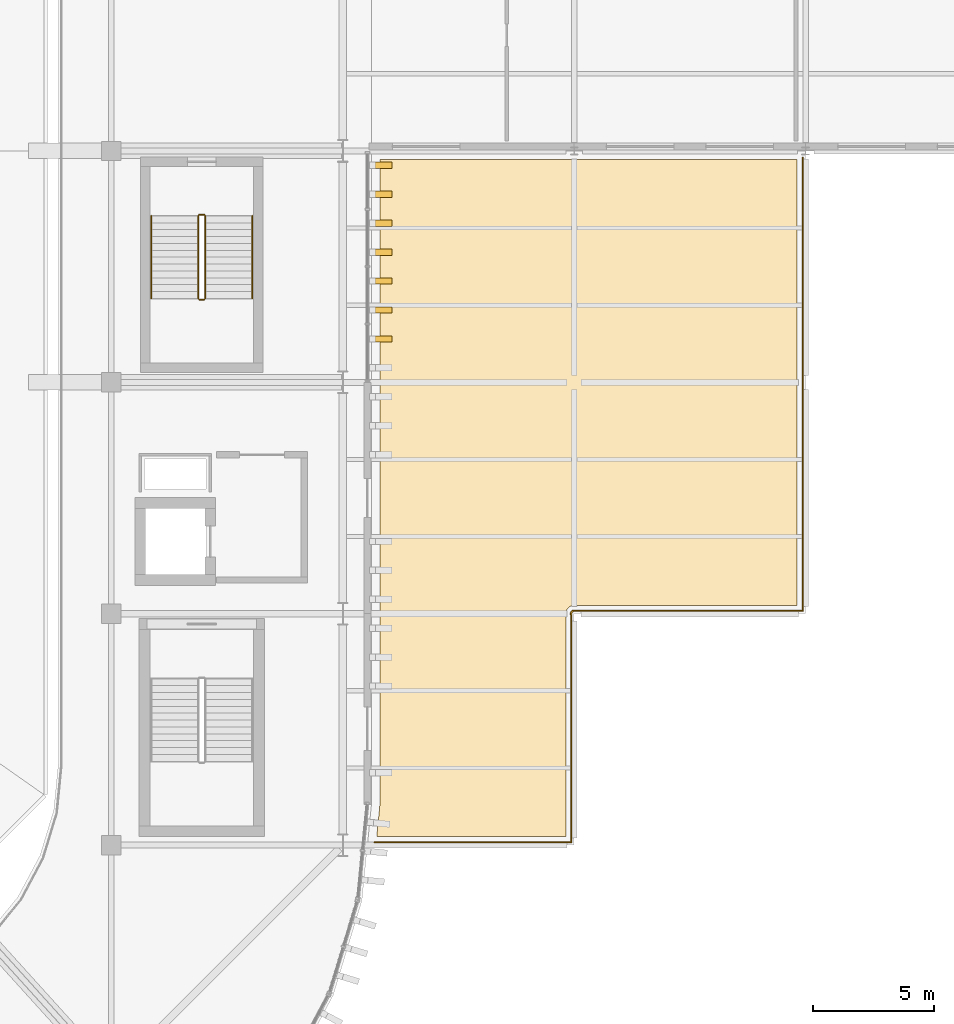
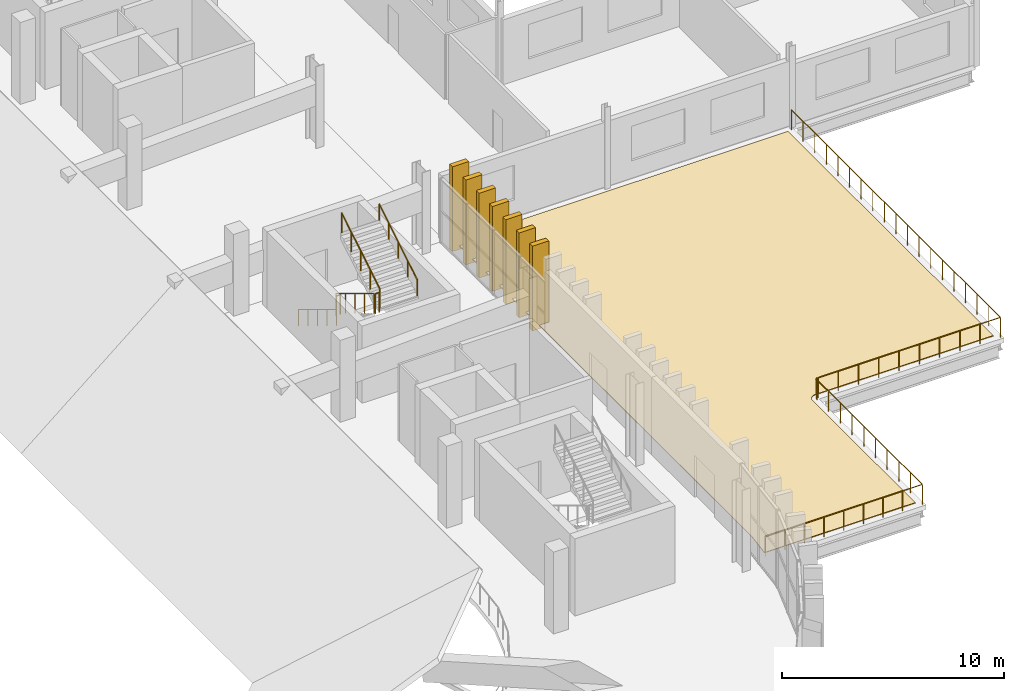
# One storey, part 62 of 69: 8 coverings, 7 railings.
"""IFC4 building model written with IfcOpenShell, lengths in metres."""

from ifc_helpers import new_model, si_unit, direction, frame, origin, origin_2d, place, context, subcontext, project, spatial, polyline, rectangle, circle, outline, extrude, material, layer, layer_set, material_profile, profile_set, type_object, element, save


model = new_model("IFC4")

# Units and contexts
model_context = context("Model", 3, precision=1e-05, world=origin(), true_north=direction((0.0, 1.0)))
body_context = subcontext(model_context, "Body", "Model", "MODEL_VIEW")
ifc_project = project(units=[si_unit("LENGTHUNIT", "METRE"), si_unit("AREAUNIT", "SQUARE_METRE"), si_unit("VOLUMEUNIT", "CUBIC_METRE"), si_unit("PLANEANGLEUNIT", "RADIAN"), si_unit("MASSUNIT", "GRAM", prefix="KILO")], contexts=[model_context])

# Site, building, storey
site_placement = place(None, origin())
site = spatial("IfcSite", under=ifc_project, at=site_placement, CompositionType="ELEMENT")
building_placement = place(site_placement, origin())
building = spatial("IfcBuilding", under=site, at=building_placement, Name="Caelomonte Colonnade Arena", CompositionType="ELEMENT")
storey_placement = place(building_placement, frame((0.0, 0.0, 18.60009765625)))
storey = spatial("IfcBuildingStorey", under=building, at=storey_placement, Name="L04", CompositionType="ELEMENT", Elevation=18.60009765625)

# Coverings
ifc_material_1 = material(Name="Travertine colonnade arrival paving", Category="masonry")
ifc_layer = layer(ifc_material_1, 0.0400390625)
ifc_layer_set = layer_set([ifc_layer], Name="Travertine colonnade arrival paving")
covering_type_1 = type_object("IfcCoveringType", Name="ENV-CV-PAV25", PredefinedType="FLOORING", material=ifc_layer_set)
covering_placement = place(storey_placement, origin())
element("IfcCovering", 1, at=covering_placement, inside=storey, type_object=covering_type_1, Name="East Gallery Courtyard Terrace travertine terrace paving 5", PredefinedType="FLOORING", context=body_context, shape_type="SweptSolid", body=[
    extrude(outline(polyline([(182.050048828125, 66.85009765625), (164.75, 66.85009765625), (164.75, 40.199951171875), (164.748291015625, 40.165771484375), (164.60888671875, 38.75), (172.449951171875, 38.75), (172.449951171875, 48.0), (172.45166015625, 48.0341796875), (172.456787109375, 48.068359375), (172.465087890625, 48.1015625), (172.4765625, 48.1337890625), (172.4912109375, 48.1650390625), (172.509033203125, 48.1943359375), (172.529296875, 48.221923828125), (172.552490234375, 48.24755859375), (172.577880859375, 48.2705078125), (172.605712890625, 48.291015625), (172.635009765625, 48.30859375), (172.666015625, 48.323486328125), (172.698486328125, 48.3349609375), (172.731689453125, 48.34326171875), (172.765625, 48.348388671875), (172.800048828125, 48.35009765625), (182.050048828125, 48.35009765625), (182.050048828125, 66.85009765625)])), origin(), (0.0, 0.0, 1.0), 0.039794921875),
])
ifc_material_2 = material(Name="Precast travertine cladding", Category="masonry")
ifc_material_profile = material_profile(ifc_material_2, rectangle(XDim=0.260009765625, YDim=0.85009765625, at=origin_2d()), Name="FIN260X850")
ifc_profile_set = profile_set([ifc_material_profile], Name="Precast travertine cladding")
covering_type_2 = type_object("IfcCoveringType", Name="ENV-FN-SHAFT", PredefinedType="CLADDING", material=ifc_profile_set)
for number, where, z_axis, x_axis, name in (
    (2, (164.821044921875, 59.39990234375, -0.16015625), (0.0, 0.0, 1.0), (0.0, -1.0, 0.0), "V1 L04 classical travertine vertical fin 40"),
    (3, (164.821044921875, 60.60009765625, -0.16015625), (0.0, 0.0, 1.0), (0.0, -1.0, 0.0), "V1 L04 classical travertine vertical fin 41"),
    (4, (164.821044921875, 61.800048828125, -0.16015625), (0.0, 0.0, 1.0), (0.0, -1.0, 0.0), "V1 L04 classical travertine vertical fin 42"),
    (5, (164.821044921875, 63.0, -0.16015625), (0.0, 0.0, 1.0), (0.0, -1.0, 0.0), "V1 L04 classical travertine vertical fin 43"),
    (6, (164.821044921875, 64.199951171875, -0.16015625), (0.0, 0.0, 1.0), (0.0, -1.0, 0.0), "V1 L04 classical travertine vertical fin 44"),
    (7, (164.821044921875, 65.39990234375, -0.16015625), (0.0, 0.0, 1.0), (0.0, -1.0, 0.0), "V1 L04 classical travertine vertical fin 45"),
    (8, (164.821044921875, 66.60009765625, -0.16015625), (0.0, 0.0, 1.0), (0.0, -1.0, 0.0), "V1 L04 classical travertine vertical fin 46"),
):
    element("IfcCovering", number, at=place(storey_placement, frame(where, z_axis=z_axis, x_axis=x_axis)), inside=storey, type_object=covering_type_2, Name=name, PredefinedType="CLADDING", context=body_context, shape_type="SweptSolid", body=[
        extrude(rectangle(XDim=0.260009765625, YDim=0.85009765625, at=origin_2d()), origin(), (0.0, 0.0, 1.0), 4.66015625),
    ])

# Railings
ifc_material_3 = material(Name="Travertine limestone and bronze balustrade", Category="masonry")
railing_type_1 = type_object("IfcRailingType", Name="ENV-RL-BAL1", PredefinedType="BALUSTRADE", material=ifc_material_3)
railing_1_placement = place(storey_placement, frame((182.280029296875, 66.919921875, 0.0)))
element("IfcRailing", 9, at=railing_1_placement, inside=storey, type_object=railing_type_1, Name="East Gallery Courtyard Terrace perimeter guard 1", PredefinedType="BALUSTRADE", context=body_context, shape_type="SweptSolid", body=[
    extrude(circle(Radius=0.02392578125, at=origin_2d()), frame((0.0, 0.0, 1.09619140625), z_axis=(0.0, -1.0, 0.0), x_axis=(1.0, 0.0, 0.0)), (0.0, 0.0, 1.0), 18.7685546875),
    extrude(circle(Radius=0.02392578125, at=origin_2d()), frame((-0.03125, -18.7998046875, 1.09619140625), z_axis=(-1.0, 0.0, 0.0), x_axis=(0.0, -1.0, 0.0)), (0.0, 0.0, 1.0), 9.41748046875),
    extrude(circle(Radius=0.02392578125, at=origin_2d()), frame((-9.51123046875, -18.8017578125, 1.09619140625), z_axis=(-0.998131033565, -0.06111006328, 0.0), x_axis=(0.06111006328, -0.998131033565, 0.0)), (0.0, 0.0, 1.0), 0.050048828125),
    extrude(circle(Radius=0.02392578125, at=origin_2d()), frame((-9.52294921875, -18.80517578125, 1.09619140625), z_axis=(-0.989090177882, -0.147311303089, 0.0), x_axis=(0.147311303089, -0.989090177882, 0.0)), (0.0, 0.0, 1.0), 0.050048828125),
    extrude(circle(Radius=0.02392578125, at=origin_2d()), frame((-9.53369140625, -18.81005859375, 1.09619140625), z_axis=(-0.968917710624, -0.247383245266, 0.0), x_axis=(0.247383245266, -0.968917710624, 0.0)), (0.0, 0.0, 1.0), 0.050048828125),
    extrude(circle(Radius=0.02392578125, at=origin_2d()), frame((-9.54443359375, -18.815673828125, 1.09619140625), z_axis=(-0.942214690279, -0.335009667655, 0.0), x_axis=(0.335009667655, -0.942214690279, 0.0)), (0.0, 0.0, 1.0), 0.050048828125),
    extrude(circle(Radius=0.02392578125, at=origin_2d()), frame((-9.55419921875, -18.822509765625, 1.09619140625), z_axis=(-0.902481037784, -0.430729586215, 0.0), x_axis=(0.430729586215, -0.902481037784, 0.0)), (0.0, 0.0, 1.0), 0.050048828125),
    extrude(circle(Radius=0.02392578125, at=origin_2d()), frame((-9.563720703125, -18.830078125, 1.09619140625), z_axis=(-0.863014469347, -0.505179201569, 0.0), x_axis=(0.505179201569, -0.863014469347, 0.0)), (0.0, 0.0, 1.0), 0.050048828125),
    extrude(circle(Radius=0.02392578125, at=origin_2d()), frame((-9.57177734375, -18.838623046875, 1.09619140625), z_axis=(-0.802462340946, -0.596702766345, 0.0), x_axis=(0.596702766345, -0.802462340946, 0.0)), (0.0, 0.0, 1.0), 0.050048828125),
    extrude(circle(Radius=0.02392578125, at=origin_2d()), frame((-9.57958984375, -18.847900390625, 1.09619140625), z_axis=(-0.747409318684, -0.66436383883, 0.0), x_axis=(0.66436383883, -0.747409318684, 0.0)), (0.0, 0.0, 1.0), 0.050048828125),
    extrude(circle(Radius=0.02392578125, at=origin_2d()), frame((-9.585693359375, -18.8583984375, 1.09619140625), z_axis=(-0.66436383883, -0.747409318684, 0.0), x_axis=(0.747409318684, -0.66436383883, 0.0)), (0.0, 0.0, 1.0), 0.050048828125),
    extrude(circle(Radius=0.02392578125, at=origin_2d()), frame((-9.59130859375, -18.868896484375, 1.09619140625), z_axis=(-0.596702766345, -0.802462340946, 0.0), x_axis=(0.802462340946, -0.596702766345, 0.0)), (0.0, 0.0, 1.0), 0.050048828125),
    extrude(circle(Radius=0.02392578125, at=origin_2d()), frame((-9.59619140625, -18.8798828125, 1.09619140625), z_axis=(-0.520607424265, -0.853796175794, 0.0), x_axis=(0.853796175794, -0.520607424265, 0.0)), (0.0, 0.0, 1.0), 0.050048828125),
    extrude(circle(Radius=0.02392578125, at=origin_2d()), frame((-9.598876953125, -18.891845703125, 1.09619140625), z_axis=(-0.413802944301, -0.910366477463, 0.0), x_axis=(0.910366477463, -0.413802944301, 0.0)), (0.0, 0.0, 1.0), 0.050048828125),
    extrude(circle(Radius=0.02392578125, at=origin_2d()), frame((-9.601318359375, -18.903564453125, 1.09619140625), z_axis=(-0.335009667655, -0.942214690279, 0.0), x_axis=(0.942214690279, -0.335009667655, 0.0)), (0.0, 0.0, 1.0), 0.050048828125),
    extrude(circle(Radius=0.02392578125, at=origin_2d()), frame((-9.6025390625, -18.915283203125, 1.09619140625), z_axis=(-0.247383245266, -0.968917710624, 0.0), x_axis=(0.968917710624, -0.247383245266, 0.0)), (0.0, 0.0, 1.0), 0.050048828125),
    extrude(circle(Radius=0.02392578125, at=origin_2d()), frame((-9.60205078125, -18.927490234375, 1.09619140625), z_axis=(-0.144306893072, -0.989532981063, 0.0), x_axis=(0.989532981063, -0.144306893072, 0.0)), (0.0, 0.0, 1.0), 0.050048828125),
    extrude(circle(Radius=0.02392578125, at=origin_2d()), frame((-9.601318359375, -18.939453125, 1.09619140625), z_axis=(-0.062378286155, -0.998052578483, 0.0), x_axis=(0.998052578483, -0.062378286155, 0.0)), (0.0, 0.0, 1.0), 0.050048828125),
    extrude(circle(Radius=0.02392578125, at=origin_2d()), frame((-9.60009765625, -18.951171875, 1.09619140625), z_axis=(0.0, -1.0, 0.0), x_axis=(1.0, 0.0, 0.0)), (0.0, 0.0, 1.0), 9.41748046875),
    extrude(circle(Radius=0.02392578125, at=origin_2d()), frame((-9.63134765625, -28.39990234375, 1.09619140625), z_axis=(-1.0, 0.0, 0.0), x_axis=(0.0, -1.0, 0.0)), (0.0, 0.0, 1.0), 8.1328125),
    extrude(circle(Radius=0.02099609375, at=origin_2d()), origin(), (0.0, 0.0, 1.0), 1.068115234375),
    extrude(circle(Radius=0.02099609375, at=origin_2d()), frame((0.0, -1.04443359375, 0.0)), (0.0, 0.0, 1.0), 1.068115234375),
    extrude(circle(Radius=0.02099609375, at=origin_2d()), frame((0.0, -2.0888671875, 0.0)), (0.0, 0.0, 1.0), 1.068115234375),
    extrude(circle(Radius=0.02099609375, at=origin_2d()), frame((0.0, -3.13330078125, 0.0)), (0.0, 0.0, 1.0), 1.068115234375),
    extrude(circle(Radius=0.02099609375, at=origin_2d()), frame((0.0, -4.177734375, 0.0)), (0.0, 0.0, 1.0), 1.068115234375),
    extrude(circle(Radius=0.02099609375, at=origin_2d()), frame((0.0, -5.22216796875, 0.0)), (0.0, 0.0, 1.0), 1.068115234375),
    extrude(circle(Radius=0.02099609375, at=origin_2d()), frame((0.0, -6.2666015625, 0.0)), (0.0, 0.0, 1.0), 1.068115234375),
    extrude(circle(Radius=0.02099609375, at=origin_2d()), frame((0.0, -7.31103515625, 0.0)), (0.0, 0.0, 1.0), 1.068115234375),
    extrude(circle(Radius=0.02099609375, at=origin_2d()), frame((0.0, -8.35546875, 0.0)), (0.0, 0.0, 1.0), 1.068115234375),
    extrude(circle(Radius=0.02099609375, at=origin_2d()), frame((0.0, -9.39990234375, 0.0)), (0.0, 0.0, 1.0), 1.068115234375),
    extrude(circle(Radius=0.02099609375, at=origin_2d()), frame((0.0, -10.4443359375, 0.0)), (0.0, 0.0, 1.0), 1.068115234375),
    extrude(circle(Radius=0.02099609375, at=origin_2d()), frame((0.0, -11.48876953125, 0.0)), (0.0, 0.0, 1.0), 1.068115234375),
    extrude(circle(Radius=0.02099609375, at=origin_2d()), frame((0.0, -12.533203125, 0.0)), (0.0, 0.0, 1.0), 1.068115234375),
    extrude(circle(Radius=0.02099609375, at=origin_2d()), frame((0.0, -13.57763671875, 0.0)), (0.0, 0.0, 1.0), 1.068115234375),
    extrude(circle(Radius=0.02099609375, at=origin_2d()), frame((0.0, -14.6220703125, 0.0)), (0.0, 0.0, 1.0), 1.068115234375),
    extrude(circle(Radius=0.02099609375, at=origin_2d()), frame((0.0, -15.66650390625, 0.0)), (0.0, 0.0, 1.0), 1.068115234375),
    extrude(circle(Radius=0.02099609375, at=origin_2d()), frame((0.0, -16.7109375, 0.0)), (0.0, 0.0, 1.0), 1.068115234375),
    extrude(circle(Radius=0.02099609375, at=origin_2d()), frame((0.0, -17.75537109375, 0.0)), (0.0, 0.0, 1.0), 1.068115234375),
    extrude(circle(Radius=0.02099609375, at=origin_2d()), frame((0.0, -18.7998046875, 0.0)), (0.0, 0.0, 1.0), 1.068115234375),
    extrude(circle(Radius=0.02099609375, at=origin_2d()), frame((-1.05322265625, -18.7998046875, 0.0)), (0.0, 0.0, 1.0), 1.068115234375),
    extrude(circle(Radius=0.02099609375, at=origin_2d()), frame((-2.106689453125, -18.7998046875, 0.0)), (0.0, 0.0, 1.0), 1.068115234375),
    extrude(circle(Radius=0.02099609375, at=origin_2d()), frame((-3.159912109375, -18.7998046875, 0.0)), (0.0, 0.0, 1.0), 1.068115234375),
    extrude(circle(Radius=0.02099609375, at=origin_2d()), frame((-4.21337890625, -18.7998046875, 0.0)), (0.0, 0.0, 1.0), 1.068115234375),
    extrude(circle(Radius=0.02099609375, at=origin_2d()), frame((-5.2666015625, -18.7998046875, 0.0)), (0.0, 0.0, 1.0), 1.068115234375),
    extrude(circle(Radius=0.02099609375, at=origin_2d()), frame((-6.320068359375, -18.7998046875, 0.0)), (0.0, 0.0, 1.0), 1.068115234375),
    extrude(circle(Radius=0.02099609375, at=origin_2d()), frame((-7.373291015625, -18.7998046875, 0.0)), (0.0, 0.0, 1.0), 1.068115234375),
    extrude(circle(Radius=0.02099609375, at=origin_2d()), frame((-8.4267578125, -18.7998046875, 0.0)), (0.0, 0.0, 1.0), 1.068115234375),
    extrude(circle(Radius=0.02099609375, at=origin_2d()), frame((-9.47998046875, -18.7998046875, 0.0)), (0.0, 0.0, 1.0), 1.068115234375),
    extrude(circle(Radius=0.02099609375, at=origin_2d()), frame((-9.53662109375, -18.814208984375, 0.0)), (0.0, 0.0, 1.0), 1.068115234375),
    extrude(circle(Radius=0.02099609375, at=origin_2d()), frame((-9.579833984375, -18.853271484375, 0.0)), (0.0, 0.0, 1.0), 1.068115234375),
    extrude(circle(Radius=0.02099609375, at=origin_2d()), frame((-9.599365234375, -18.908203125, 0.0)), (0.0, 0.0, 1.0), 1.068115234375),
    extrude(circle(Radius=0.02099609375, at=origin_2d()), frame((-9.60009765625, -19.97314453125, 0.0)), (0.0, 0.0, 1.0), 1.068115234375),
    extrude(circle(Radius=0.02099609375, at=origin_2d()), frame((-9.60009765625, -21.026611328125, 0.0)), (0.0, 0.0, 1.0), 1.068115234375),
    extrude(circle(Radius=0.02099609375, at=origin_2d()), frame((-9.60009765625, -22.079833984375, 0.0)), (0.0, 0.0, 1.0), 1.068115234375),
    extrude(circle(Radius=0.02099609375, at=origin_2d()), frame((-9.60009765625, -23.13330078125, 0.0)), (0.0, 0.0, 1.0), 1.068115234375),
    extrude(circle(Radius=0.02099609375, at=origin_2d()), frame((-9.60009765625, -24.1865234375, 0.0)), (0.0, 0.0, 1.0), 1.068115234375),
    extrude(circle(Radius=0.02099609375, at=origin_2d()), frame((-9.60009765625, -25.239990234375, 0.0)), (0.0, 0.0, 1.0), 1.068115234375),
    extrude(circle(Radius=0.02099609375, at=origin_2d()), frame((-9.60009765625, -26.293212890625, 0.0)), (0.0, 0.0, 1.0), 1.068115234375),
    extrude(circle(Radius=0.02099609375, at=origin_2d()), frame((-9.60009765625, -27.3466796875, 0.0)), (0.0, 0.0, 1.0), 1.068115234375),
    extrude(circle(Radius=0.02099609375, at=origin_2d()), frame((-9.60009765625, -28.39990234375, 0.0)), (0.0, 0.0, 1.0), 1.068115234375),
    extrude(circle(Radius=0.02099609375, at=origin_2d()), frame((-10.62060546875, -28.39990234375, 0.0)), (0.0, 0.0, 1.0), 1.068115234375),
    extrude(circle(Radius=0.02099609375, at=origin_2d()), frame((-11.64111328125, -28.39990234375, 0.0)), (0.0, 0.0, 1.0), 1.068115234375),
    extrude(circle(Radius=0.02099609375, at=origin_2d()), frame((-12.66162109375, -28.39990234375, 0.0)), (0.0, 0.0, 1.0), 1.068115234375),
    extrude(circle(Radius=0.02099609375, at=origin_2d()), frame((-13.68212890625, -28.39990234375, 0.0)), (0.0, 0.0, 1.0), 1.068115234375),
    extrude(circle(Radius=0.02099609375, at=origin_2d()), frame((-14.70263671875, -28.39990234375, 0.0)), (0.0, 0.0, 1.0), 1.068115234375),
    extrude(circle(Radius=0.02099609375, at=origin_2d()), frame((-15.72314453125, -28.39990234375, 0.0)), (0.0, 0.0, 1.0), 1.068115234375),
    extrude(circle(Radius=0.02099609375, at=origin_2d()), frame((-16.74365234375, -28.39990234375, 0.0)), (0.0, 0.0, 1.0), 1.068115234375),
    extrude(circle(Radius=0.02099609375, at=origin_2d()), frame((-17.76416015625, -28.39990234375, 0.0)), (0.0, 0.0, 1.0), 1.068115234375),
])
ifc_material_4 = material(Name="Painted galvanized steel stair guard", Category="steel")
railing_type_2 = type_object("IfcRailingType", Name="INT-RL-GRD", PredefinedType="GUARDRAIL", material=ifc_material_4)
railing_2_placement = place(storey_placement, frame((157.199951171875, 64.5, 0.173095703125)))
element("IfcRailing", 10, at=railing_2_placement, inside=storey, type_object=railing_type_2, Name="L04 ST-10 stair guard 1", PredefinedType="GUARDRAIL", context=body_context, shape_type="SweptSolid", body=[
    extrude(circle(Radius=0.02392578125, at=origin_2d()), frame((0.0, 0.0, 1.076171875), z_axis=(0.0, -0.854729506542, 0.519073665916), x_axis=(1.0, 0.0, 0.0)), (0.0, 0.0, 1.0), 4.001220703125),
    extrude(circle(Radius=0.02099609375, at=origin_2d()), origin(), (0.0, 0.0, 1.0), 1.048095703125),
    extrude(circle(Radius=0.02099609375, at=origin_2d()), frame((0.0, -0.85498046875, 0.519287109375)), (0.0, 0.0, 1.0), 1.048095703125),
    extrude(circle(Radius=0.02099609375, at=origin_2d()), frame((0.0, -1.7099609375, 1.03857421875)), (0.0, 0.0, 1.0), 1.048095703125),
    extrude(circle(Radius=0.02099609375, at=origin_2d()), frame((0.0, -2.56494140625, 1.5576171875)), (0.0, 0.0, 1.0), 1.048095703125),
    extrude(circle(Radius=0.02099609375, at=origin_2d()), frame((0.0, -3.419921875, 2.076904296875)), (0.0, 0.0, 1.0), 1.048095703125),
])
railing_3_placement = place(storey_placement, frame((157.25, 61.030029296875, 2.25)))
element("IfcRailing", 11, at=railing_3_placement, inside=storey, type_object=railing_type_2, Name="L04 ST-10 stair guard 2", PredefinedType="GUARDRAIL", context=body_context, shape_type="SweptSolid", body=[
    extrude(circle(Radius=0.02392578125, at=origin_2d()), frame((0.0, 0.0, 1.076171875), z_axis=(1.0, 0.0, 0.0), x_axis=(0.0, 1.0, 0.0)), (0.0, 0.0, 1.0), 0.199951171875),
    extrude(circle(Radius=0.02099609375, at=origin_2d()), origin(), (0.0, 0.0, 1.0), 1.048095703125),
    extrude(circle(Radius=0.02099609375, at=origin_2d()), frame((0.199951171875, 0.0, 0.0)), (0.0, 0.0, 1.0), 1.048095703125),
])
railing_4_placement = place(storey_placement, frame((157.5, 61.080078125, 2.423095703125)))
element("IfcRailing", 12, at=railing_4_placement, inside=storey, type_object=railing_type_2, Name="L04 ST-10 stair guard 3", PredefinedType="GUARDRAIL", context=body_context, shape_type="SweptSolid", body=[
    extrude(circle(Radius=0.02392578125, at=origin_2d()), frame((0.0, 0.0, 1.076171875), z_axis=(0.0, 0.854729506542, 0.519073665916), x_axis=(-1.0, 0.0, 0.0)), (0.0, 0.0, 1.0), 4.001220703125),
    extrude(circle(Radius=0.02099609375, at=origin_2d()), origin(), (0.0, 0.0, 1.0), 1.048095703125),
    extrude(circle(Radius=0.02099609375, at=origin_2d()), frame((0.0, 0.85498046875, 0.519287109375)), (0.0, 0.0, 1.0), 1.048095703125),
    extrude(circle(Radius=0.02099609375, at=origin_2d()), frame((0.0, 1.7099609375, 1.03857421875)), (0.0, 0.0, 1.0), 1.048095703125),
    extrude(circle(Radius=0.02099609375, at=origin_2d()), frame((0.0, 2.56494140625, 1.5576171875)), (0.0, 0.0, 1.0), 1.048095703125),
    extrude(circle(Radius=0.02099609375, at=origin_2d()), frame((0.0, 3.419921875, 2.076904296875)), (0.0, 0.0, 1.0), 1.048095703125),
])
railing_5_placement = place(storey_placement, frame((157.25, 64.550048828125, 0.0)))
element("IfcRailing", 13, at=railing_5_placement, inside=storey, type_object=railing_type_2, Name="L04 ST-10 stair guard 4", PredefinedType="GUARDRAIL", context=body_context, shape_type="SweptSolid", body=[
    extrude(circle(Radius=0.02392578125, at=origin_2d()), frame((0.0, 0.0, 1.076171875), z_axis=(1.0, 0.0, 0.0), x_axis=(0.0, 1.0, 0.0)), (0.0, 0.0, 1.0), 0.199951171875),
    extrude(circle(Radius=0.02099609375, at=origin_2d()), origin(), (0.0, 0.0, 1.0), 1.048095703125),
    extrude(circle(Radius=0.02099609375, at=origin_2d()), frame((0.199951171875, 0.0, 0.0)), (0.0, 0.0, 1.0), 1.048095703125),
])
ifc_material_5 = material(Name="Brushed stainless steel stair handrail", Category="steel")
railing_type_3 = type_object("IfcRailingType", Name="INT-RL-HR", PredefinedType="HANDRAIL", material=ifc_material_5)
railing_6_placement = place(storey_placement, frame((155.25, 64.5, 0.173095703125)))
element("IfcRailing", 14, at=railing_6_placement, inside=storey, type_object=railing_type_3, Name="L04 ST-10 stair handrail 1", PredefinedType="HANDRAIL", context=body_context, shape_type="SweptSolid", body=[
    extrude(circle(Radius=0.02392578125, at=origin_2d()), frame((0.0, 0.0, 0.8759765625), z_axis=(0.0, -0.854729506542, 0.519073665916), x_axis=(1.0, 0.0, 0.0)), (0.0, 0.0, 1.0), 4.001220703125),
    extrude(circle(Radius=0.02099609375, at=origin_2d()), origin(), (0.0, 0.0, 1.0), 0.847900390625),
    extrude(circle(Radius=0.02099609375, at=origin_2d()), frame((0.0, -0.85498046875, 0.519287109375)), (0.0, 0.0, 1.0), 0.847900390625),
    extrude(circle(Radius=0.02099609375, at=origin_2d()), frame((0.0, -1.7099609375, 1.03857421875)), (0.0, 0.0, 1.0), 0.847900390625),
    extrude(circle(Radius=0.02099609375, at=origin_2d()), frame((0.0, -2.56494140625, 1.5576171875)), (0.0, 0.0, 1.0), 0.847900390625),
    extrude(circle(Radius=0.02099609375, at=origin_2d()), frame((0.0, -3.419921875, 2.076904296875)), (0.0, 0.0, 1.0), 0.847900390625),
])
railing_7_placement = place(storey_placement, frame((159.449951171875, 61.080078125, 2.423095703125)))
element("IfcRailing", 15, at=railing_7_placement, inside=storey, type_object=railing_type_3, Name="L04 ST-10 stair handrail 2", PredefinedType="HANDRAIL", context=body_context, shape_type="SweptSolid", body=[
    extrude(circle(Radius=0.02392578125, at=origin_2d()), frame((0.0, 0.0, 0.8759765625), z_axis=(0.0, 0.854729506542, 0.519073665916), x_axis=(-1.0, 0.0, 0.0)), (0.0, 0.0, 1.0), 4.001220703125),
    extrude(circle(Radius=0.02099609375, at=origin_2d()), origin(), (0.0, 0.0, 1.0), 0.847900390625),
    extrude(circle(Radius=0.02099609375, at=origin_2d()), frame((0.0, 0.85498046875, 0.519287109375)), (0.0, 0.0, 1.0), 0.847900390625),
    extrude(circle(Radius=0.02099609375, at=origin_2d()), frame((0.0, 1.7099609375, 1.03857421875)), (0.0, 0.0, 1.0), 0.847900390625),
    extrude(circle(Radius=0.02099609375, at=origin_2d()), frame((0.0, 2.56494140625, 1.5576171875)), (0.0, 0.0, 1.0), 0.847900390625),
    extrude(circle(Radius=0.02099609375, at=origin_2d()), frame((0.0, 3.419921875, 2.076904296875)), (0.0, 0.0, 1.0), 0.847900390625),
])

save(model, "model.ifc")
